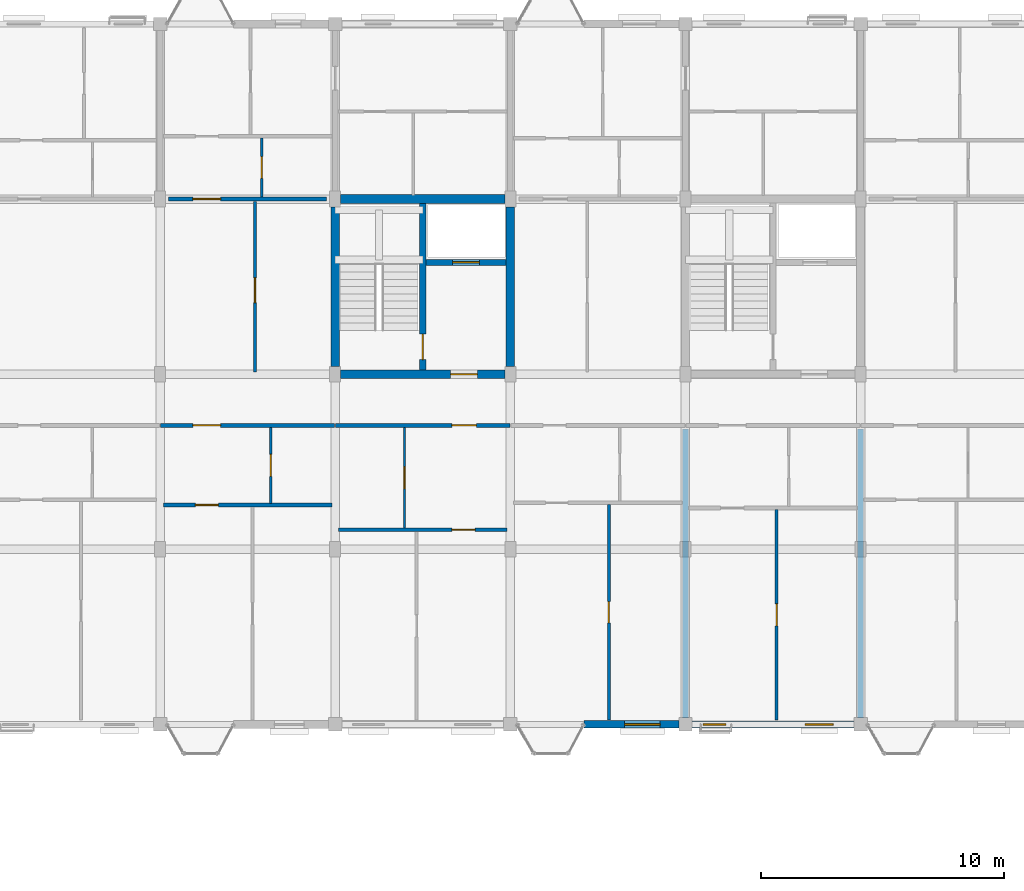
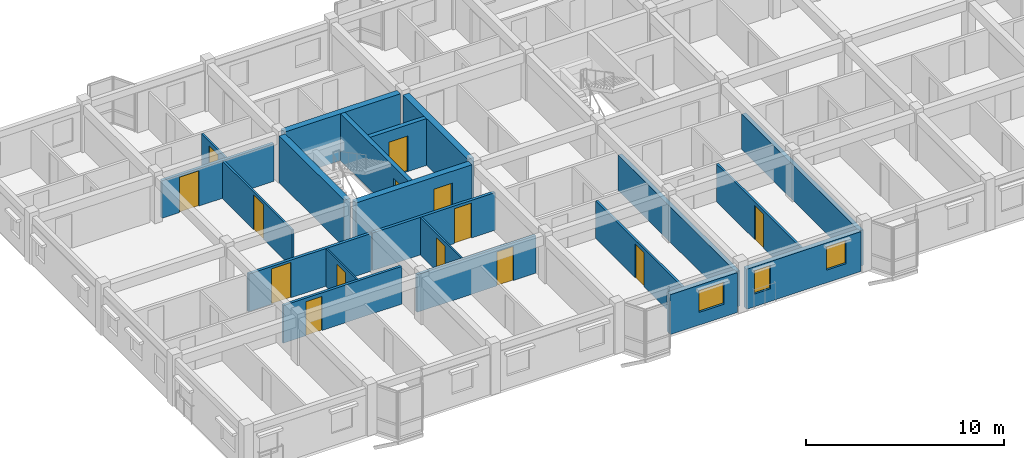
# One storey, part 61 of 75: 21 walls, 14 doors, 3 windows, 17 openings.
"""IFC4 building model written with IfcOpenShell, lengths in metres."""

from ifc_helpers import new_model, si_unit, direction, frame, frame_2d, origin, place, context, subcontext, project, spatial, rectangle, extrude, material, layer, layer_set, type_object, element, fill, save


model = new_model("IFC4")

# Units and contexts
model_context = context("Model", 3, precision=1e-05, world=origin(), true_north=direction((0.0, 1.0)))
body_context = subcontext(model_context, "Body", "Model", "MODEL_VIEW")
ifc_project = project(units=[si_unit("LENGTHUNIT", "METRE"), si_unit("AREAUNIT", "SQUARE_METRE"), si_unit("VOLUMEUNIT", "CUBIC_METRE"), si_unit("PLANEANGLEUNIT", "RADIAN"), si_unit("MASSUNIT", "GRAM", prefix="KILO"), si_unit("THERMODYNAMICTEMPERATUREUNIT", "KELVIN"), si_unit("POWERUNIT", "WATT")], contexts=[model_context])

# Site, building, storey
site_placement = place(None, origin())
site = spatial("IfcSite", under=ifc_project, at=site_placement, CompositionType="ELEMENT")
building_placement = place(site_placement, origin())
building = spatial("IfcBuilding", under=site, at=building_placement, Name="Tavuni Mirador Residences", CompositionType="ELEMENT")
storey_placement = place(building_placement, frame((0.0, 0.0, 20.25)))
storey = spatial("IfcBuildingStorey", under=building, at=storey_placement, Name="L06", CompositionType="ELEMENT", Elevation=20.25)

# Wall, opening, door
ifc_material_1 = material(Name="Precast concrete C40/50", Category="concrete")
ifc_layer_1 = layer(ifc_material_1, 0.25, Name="Precast concrete C40/50", Category="concrete")
ifc_layer_set_1 = layer_set([ifc_layer_1], Name="Precast concrete C40/50")
wall_type_1 = type_object("IfcWallType", Name="WT-COR250", PredefinedType="SHEAR", material=ifc_layer_set_1)
wall_1_placement = place(storey_placement, frame((28.800048828125, 158.580078125, 0.0), z_axis=(0.0, 0.0, 1.0), x_axis=(0.0, 1.0, 0.0)))
wall_1 = element("IfcWall", 1, at=wall_1_placement, inside=storey, type_object=wall_type_1, Name="CWALL-C5-L06-MID", PredefinedType="SHEAR", context=body_context, shape_type="SweptSolid", body=[
    extrude(rectangle(XDim=6.83984375, YDim=0.25, at=frame_2d((3.419921875, 0.0))), origin(), (0.0, 0.0, 1.0), 2.885009765625),
])
opening_1_placement = place(wall_1_placement, frame((0.419921875, 0.0, 0.0)))
opening_1 = element("IfcOpeningElement", 2, at=opening_1_placement, cuts=wall_1, Name="Opening D-01", PredefinedType="OPENING", context=body_context, shape_type="SweptSolid", body=[
    extrude(rectangle(XDim=1.050048828125, YDim=2.14990234375, at=frame_2d((0.52490234375, 1.074951171875))), frame((0.0, 0.135009765625, 0.0), z_axis=(0.0, -1.0, 0.0), x_axis=(1.0, 0.0, 0.0)), (0.0, 0.0, 1.0), 0.27001953125),
])
ifc_material_2 = material(Name="Solid core iroko timber", Category="wood")
door_type_1 = type_object("IfcDoorType", Name="DT-ST1050", OperationType="NOTDEFINED", PredefinedType="DOOR", material=ifc_material_2)
door_1_placement = place(opening_1_placement, origin())
door_1 = element("IfcDoor", 3, at=door_1_placement, inside=storey, type_object=door_type_1, Name="DR-2193", OperationType="SINGLE_SWING_LEFT", OverallHeight=2.14990234375, OverallWidth=1.050048828125, PredefinedType="DOOR", context=body_context, shape_type="SweptSolid", body=[
    extrude(rectangle(XDim=1.050048828125, YDim=2.14990234375, at=frame_2d((0.52490234375, 1.074951171875))), frame((0.0, 0.02490234375, 0.0), z_axis=(0.0, -1.0, 0.0), x_axis=(1.0, 0.0, 0.0)), (0.0, 0.0, 1.0), 0.050048828125),
])
fill(opening_1, door_1)

wall_2_placement = place(storey_placement, frame((28.925048828125, 163.0, 0.0), z_axis=(0.0, 0.0, 1.0), x_axis=(1.0, 0.0, 0.0)))
wall_2 = element("IfcWall", 4, at=wall_2_placement, inside=storey, type_object=wall_type_1, Name="CWALL-C5-L06-SHF", PredefinedType="SHEAR", context=body_context, shape_type="SweptSolid", body=[
    extrude(rectangle(XDim=3.294921875, YDim=0.25, at=frame_2d((1.6474609375, 0.0))), origin(), (0.0, 0.0, 1.0), 2.885009765625),
])
opening_2_placement = place(wall_2_placement, frame((1.10009765625, 0.0, 0.0)))
opening_2 = element("IfcOpeningElement", 5, at=opening_2_placement, cuts=wall_2, Name="Opening LD-01", PredefinedType="OPENING", context=body_context, shape_type="SweptSolid", body=[
    extrude(rectangle(XDim=1.10009765625, YDim=2.199951171875, at=frame_2d((0.550048828125, 1.10009765625))), frame((0.0, 0.135009765625, 0.0), z_axis=(0.0, -1.0, 0.0), x_axis=(1.0, 0.0, 0.0)), (0.0, 0.0, 1.0), 0.27001953125),
])
ifc_material_3 = material(Name="Structural steel S355", Category="steel")
door_type_2 = type_object("IfcDoorType", Name="DT-LD-FF", OperationType="SLIDING_TO_LEFT", PredefinedType="DOOR", material=ifc_material_3)
door_2_placement = place(opening_2_placement, origin())
door_2 = element("IfcDoor", 6, at=door_2_placement, inside=storey, type_object=door_type_2, Name="Lift landing door FL-C1 L06", OperationType="SLIDING_TO_LEFT", OverallHeight=2.199951171875, OverallWidth=1.10009765625, PredefinedType="DOOR", context=body_context, shape_type="SweptSolid", body=[
    extrude(rectangle(XDim=1.10009765625, YDim=2.199951171875, at=frame_2d((0.550048828125, 1.10009765625))), frame((0.0, 0.02490234375, 0.0), z_axis=(0.0, -1.0, 0.0), x_axis=(1.0, 0.0, 0.0)), (0.0, 0.0, 1.0), 0.050048828125),
])
fill(opening_2, door_2)

# Walls
ifc_layer_2 = layer(ifc_material_1, 0.360107421875, Name="Precast concrete C40/50", Category="concrete")
ifc_layer_set_2 = layer_set([ifc_layer_2], Name="Precast concrete C40/50")
wall_type_2 = type_object("IfcWallType", Name="WT-COR360", PredefinedType="SHEAR", material=ifc_layer_set_2)
wall_3_placement = place(storey_placement, frame((25.199951171875, 158.72509765625, 0.0), z_axis=(0.0, 0.0, 1.0), x_axis=(0.0, 1.0, 0.0)))
element("IfcWall", 7, at=wall_3_placement, inside=storey, type_object=wall_type_2, Name="CWALL-C5-L06-W", PredefinedType="SHEAR", context=body_context, shape_type="SweptSolid", body=[
    extrude(rectangle(XDim=6.5498046875, YDim=0.360107421875, at=frame_2d((3.27490234375, 0.0))), origin(), (0.0, 0.0, 1.0), 2.885009765625),
])
wall_4_placement = place(storey_placement, frame((25.425048828125, 165.60009765625, 0.0), z_axis=(0.0, 0.0, 1.0), x_axis=(1.0, 0.0, 0.0)))
element("IfcWall", 8, at=wall_4_placement, inside=storey, type_object=wall_type_2, Name="CWALL-C5-L06-N", PredefinedType="SHEAR", context=body_context, shape_type="SweptSolid", body=[
    extrude(rectangle(XDim=6.75, YDim=0.360107421875, at=frame_2d((3.375, 0.0))), origin(), (0.0, 0.0, 1.0), 2.885009765625),
])
wall_5_placement = place(storey_placement, frame((32.39990234375, 158.72509765625, 0.0), z_axis=(0.0, 0.0, 1.0), x_axis=(0.0, 1.0, 0.0)))
element("IfcWall", 9, at=wall_5_placement, inside=storey, type_object=wall_type_2, Name="CWALL-C5-L06-E", PredefinedType="SHEAR", context=body_context, shape_type="SweptSolid", body=[
    extrude(rectangle(XDim=6.5498046875, YDim=0.360107421875, at=frame_2d((3.27490234375, 0.0))), origin(), (0.0, 0.0, 1.0), 2.885009765625),
])

# Wall, opening, door
wall_6_placement = place(storey_placement, frame((25.425048828125, 158.39990234375, 0.0), z_axis=(0.0, 0.0, 1.0), x_axis=(1.0, 0.0, 0.0)))
wall_6 = element("IfcWall", 10, at=wall_6_placement, inside=storey, type_object=wall_type_2, Name="CWALL-C5-L06-SS", PredefinedType="SHEAR", context=body_context, shape_type="SweptSolid", body=[
    extrude(rectangle(XDim=6.75, YDim=0.360107421875, at=frame_2d((3.375, 0.0))), origin(), (0.0, 0.0, 1.0), 2.885009765625),
])
opening_3_placement = place(wall_6_placement, frame((4.52490234375, 0.0, 0.0)))
opening_3 = element("IfcOpeningElement", 11, at=opening_3_placement, cuts=wall_6, Name="Opening D-02", PredefinedType="OPENING", context=body_context, shape_type="SweptSolid", body=[
    extrude(rectangle(XDim=1.10009765625, YDim=2.14990234375, at=frame_2d((0.550048828125, 1.074951171875))), frame((0.0, 0.18994140625, 0.0), z_axis=(0.0, -1.0, 0.0), x_axis=(1.0, 0.0, 0.0)), (0.0, 0.0, 1.0), 0.380126953125),
])
door_type_3 = type_object("IfcDoorType", Name="DT-LOB1100", OperationType="NOTDEFINED", PredefinedType="DOOR", material=ifc_material_2)
door_3_placement = place(opening_3_placement, frame((1.10009765625, 0.0, 0.0), z_axis=(0.0, 0.0, 1.0), x_axis=(-1.0, 0.0, 0.0)))
door_3 = element("IfcDoor", 12, at=door_3_placement, inside=storey, type_object=door_type_3, Name="DR-2192", OperationType="SINGLE_SWING_RIGHT", OverallHeight=2.14990234375, OverallWidth=1.10009765625, PredefinedType="DOOR", context=body_context, shape_type="SweptSolid", body=[
    extrude(rectangle(XDim=1.10009765625, YDim=2.14990234375, at=frame_2d((0.550048828125, 1.074951171875))), frame((0.0, 0.02490234375, 0.0), z_axis=(0.0, -1.0, 0.0), x_axis=(1.0, 0.0, 0.0)), (0.0, 0.0, 1.0), 0.050048828125),
])
fill(opening_3, door_3)

ifc_layer_3 = layer(ifc_material_1, 0.1650390625, Name="Precast concrete C40/50", Category="concrete")
ifc_layer_set_3 = layer_set([ifc_layer_3], Name="Precast concrete C40/50")
wall_type_3 = type_object("IfcWallType", Name="WT-CORR165", PredefinedType="PARTITIONING", material=ifc_layer_set_3)
wall_7_placement = place(storey_placement, frame((18.02001953125, 156.300048828125, 0.0), z_axis=(0.0, 0.0, 1.0), x_axis=(1.0, 0.0, 0.0)))
wall_7 = element("IfcWall", 13, at=wall_7_placement, inside=storey, type_object=wall_type_3, Name="CORW-BLK-C-L06-0-01", PredefinedType="PARTITIONING", context=body_context, shape_type="SweptSolid", body=[
    extrude(rectangle(XDim=7.159912109375, YDim=0.1650390625, at=frame_2d((3.580078125, 0.0))), origin(), (0.0, 0.0, 1.0), 2.320068359375),
])
opening_4_placement = place(wall_7_placement, frame((1.330078125, 0.0, 0.0)))
opening_4 = element("IfcOpeningElement", 14, at=opening_4_placement, cuts=wall_7, Name="Opening D-20", PredefinedType="OPENING", context=body_context, shape_type="SweptSolid", body=[
    extrude(rectangle(XDim=1.139892578125, YDim=2.179931640625, at=frame_2d((0.56982421875, 1.08984375))), frame((0.0, 0.092529296875, 0.0), z_axis=(0.0, -1.0, 0.0), x_axis=(1.0, 0.0, 0.0)), (0.0, 0.0, 1.0), 0.18505859375),
])
door_type_4 = type_object("IfcDoorType", Name="DT-FD60-1140", OperationType="NOTDEFINED", PredefinedType="DOOR", material=ifc_material_2)
door_4_placement = place(opening_4_placement, origin())
door_4 = element("IfcDoor", 15, at=door_4_placement, inside=storey, type_object=door_type_4, Name="DR-2708", OperationType="SINGLE_SWING_LEFT", OverallHeight=2.179931640625, OverallWidth=1.139892578125, PredefinedType="DOOR", context=body_context, shape_type="SweptSolid", body=[
    extrude(rectangle(XDim=1.139892578125, YDim=2.179931640625, at=frame_2d((0.56982421875, 1.08984375))), frame((0.0, 0.02490234375, 0.0), z_axis=(0.0, -1.0, 0.0), x_axis=(1.0, 0.0, 0.0)), (0.0, 0.0, 1.0), 0.050048828125),
])
fill(opening_4, door_4)

wall_8_placement = place(storey_placement, frame((25.219970703125, 156.300048828125, 0.0), z_axis=(0.0, 0.0, 1.0), x_axis=(1.0, 0.0, 0.0)))
wall_8 = element("IfcWall", 16, at=wall_8_placement, inside=storey, type_object=wall_type_3, Name="CORW-BLK-C-L06-0-02", PredefinedType="PARTITIONING", context=body_context, shape_type="SweptSolid", body=[
    extrude(rectangle(XDim=7.159912109375, YDim=0.1650390625, at=frame_2d((3.580078125, 0.0))), origin(), (0.0, 0.0, 1.0), 2.320068359375),
])
opening_5_placement = place(wall_8_placement, frame((4.780029296875, 0.0, 0.0)))
opening_5 = element("IfcOpeningElement", 17, at=opening_5_placement, cuts=wall_8, Name="Opening D-03", PredefinedType="OPENING", context=body_context, shape_type="SweptSolid", body=[
    extrude(rectangle(XDim=1.0, YDim=2.14990234375, at=frame_2d((0.5, 1.074951171875))), frame((0.0, 0.092529296875, 0.0), z_axis=(0.0, -1.0, 0.0), x_axis=(1.0, 0.0, 0.0)), (0.0, 0.0, 1.0), 0.18505859375),
])
door_type_5 = type_object("IfcDoorType", Name="DT-FD60-1000", OperationType="NOTDEFINED", PredefinedType="DOOR", material=ifc_material_2)
door_5_placement = place(opening_5_placement, origin())
door_5 = element("IfcDoor", 18, at=door_5_placement, inside=storey, type_object=door_type_5, Name="DR-2709", OperationType="SINGLE_SWING_RIGHT", OverallHeight=2.14990234375, OverallWidth=1.0, PredefinedType="DOOR", context=body_context, shape_type="SweptSolid", body=[
    extrude(rectangle(XDim=1.0, YDim=2.14990234375, at=frame_2d((0.5, 1.074951171875))), frame((0.0, 0.02490234375, 0.0), z_axis=(0.0, -1.0, 0.0), x_axis=(1.0, 0.0, 0.0)), (0.0, 0.0, 1.0), 0.050048828125),
])
fill(opening_5, door_5)

wall_9_placement = place(storey_placement, frame((18.35009765625, 165.60009765625, 0.0), z_axis=(0.0, 0.0, 1.0), x_axis=(1.0, 0.0, 0.0)))
wall_9 = element("IfcWall", 19, at=wall_9_placement, inside=storey, type_object=wall_type_3, Name="CORW-BLK-C-L06-1-01", PredefinedType="PARTITIONING", context=body_context, shape_type="SweptSolid", body=[
    extrude(rectangle(XDim=6.5, YDim=0.1650390625, at=frame_2d((3.25, 0.0))), origin(), (0.0, 0.0, 1.0), 2.320068359375),
])
opening_6_placement = place(wall_9_placement, frame((1.0, 0.0, 0.0)))
opening_6 = element("IfcOpeningElement", 20, at=opening_6_placement, cuts=wall_9, Name="Opening D-20", PredefinedType="OPENING", context=body_context, shape_type="SweptSolid", body=[
    extrude(rectangle(XDim=1.139892578125, YDim=2.179931640625, at=frame_2d((0.56982421875, 1.08984375))), frame((0.0, 0.092529296875, 0.0), z_axis=(0.0, -1.0, 0.0), x_axis=(1.0, 0.0, 0.0)), (0.0, 0.0, 1.0), 0.18505859375),
])
door_6_placement = place(opening_6_placement, origin())
door_6 = element("IfcDoor", 21, at=door_6_placement, inside=storey, type_object=door_type_4, Name="DR-2717", OperationType="SINGLE_SWING_RIGHT", OverallHeight=2.179931640625, OverallWidth=1.139892578125, PredefinedType="DOOR", context=body_context, shape_type="SweptSolid", body=[
    extrude(rectangle(XDim=1.139892578125, YDim=2.179931640625, at=frame_2d((0.56982421875, 1.08984375))), frame((0.0, 0.02490234375, 0.0), z_axis=(0.0, -1.0, 0.0), x_axis=(1.0, 0.0, 0.0)), (0.0, 0.0, 1.0), 0.050048828125),
])
fill(opening_6, door_6)

# Wall, openings, windows
ifc_material_4 = material(Name="Sgraffito lime-rendered precast concrete C40/50", Category="concrete")
ifc_layer_4 = layer(ifc_material_4, 0.2900390625, Name="Sgraffito lime-rendered precast concrete C40/50", Category="concrete")
ifc_layer_set_4 = layer_set([ifc_layer_4], Name="Sgraffito lime-rendered precast concrete C40/50")
wall_type_4 = type_object("IfcWallType", Name="WT-EXT-PC290", PredefinedType="SOLIDWALL", material=ifc_layer_set_4)
wall_10_placement = place(storey_placement, frame((39.875, 144.0, 0.0), z_axis=(0.0, 0.0, 1.0), x_axis=(1.0, 0.0, 0.0)))
wall_10 = element("IfcWall", 22, at=wall_10_placement, inside=storey, type_object=wall_type_4, Name="EW-BLK-C-L06-S04", PredefinedType="SOLIDWALL", context=body_context, shape_type="SweptSolid", body=[
    extrude(rectangle(XDim=6.64990234375, YDim=0.2900390625, at=frame_2d((3.324951171875, 0.0))), origin(), (0.0, 0.0, 1.0), 2.455078125),
])
opening_7_placement = place(wall_10_placement, frame((0.449951171875, 0.0, 0.780029296875)))
opening_7 = element("IfcOpeningElement", 23, at=opening_7_placement, cuts=wall_10, Name="Opening WN-25", PredefinedType="OPENING", context=body_context, shape_type="SweptSolid", body=[
    extrude(rectangle(XDim=0.93994140625, YDim=1.43994140625, at=frame_2d((0.469970703125, 0.719970703125))), frame((0.0, 0.155029296875, 0.0), z_axis=(0.0, -1.0, 0.0), x_axis=(1.0, 0.0, 0.0)), (0.0, 0.0, 1.0), 0.31005859375),
])
opening_8_placement = place(wall_10_placement, frame((4.64990234375, 0.0, 0.780029296875)))
opening_8 = element("IfcOpeningElement", 24, at=opening_8_placement, cuts=wall_10, Name="Opening WN-27", PredefinedType="OPENING", context=body_context, shape_type="SweptSolid", body=[
    extrude(rectangle(XDim=1.14990234375, YDim=1.43994140625, at=frame_2d((0.574951171875, 0.719970703125))), frame((0.0, 0.155029296875, 0.0), z_axis=(0.0, -1.0, 0.0), x_axis=(1.0, 0.0, 0.0)), (0.0, 0.0, 1.0), 0.31005859375),
])
ifc_material_5 = material(Name="Laminated solar-control glass", Category="glass")
window_type_1 = type_object("IfcWindowType", Name="WNT-25", PartitioningType="SINGLE_PANEL", PredefinedType="WINDOW", material=ifc_material_5)
window_1_placement = place(opening_7_placement, origin())
window_1 = element("IfcWindow", 25, at=window_1_placement, inside=storey, type_object=window_type_1, Name="WIN-1098", OverallHeight=1.43994140625, OverallWidth=0.93994140625, PartitioningType="SINGLE_PANEL", PredefinedType="WINDOW", context=body_context, shape_type="SweptSolid", body=[
    extrude(rectangle(XDim=0.93994140625, YDim=1.43994140625, at=frame_2d((0.469970703125, 0.719970703125))), frame((0.0, 0.030029296875, 0.0), z_axis=(0.0, -1.0, 0.0), x_axis=(1.0, 0.0, 0.0)), (0.0, 0.0, 1.0), 0.06005859375),
])
fill(opening_7, window_1)
window_type_2 = type_object("IfcWindowType", Name="WNT-27", PartitioningType="SINGLE_PANEL", PredefinedType="WINDOW", material=ifc_material_5)
window_2_placement = place(opening_8_placement, origin())
window_2 = element("IfcWindow", 26, at=window_2_placement, inside=storey, type_object=window_type_2, Name="WIN-1099", OverallHeight=1.43994140625, OverallWidth=1.14990234375, PartitioningType="SINGLE_PANEL", PredefinedType="WINDOW", context=body_context, shape_type="SweptSolid", body=[
    extrude(rectangle(XDim=1.14990234375, YDim=1.43994140625, at=frame_2d((0.574951171875, 0.719970703125))), frame((0.0, 0.030029296875, 0.0), z_axis=(0.0, -1.0, 0.0), x_axis=(1.0, 0.0, 0.0)), (0.0, 0.0, 1.0), 0.06005859375),
])
fill(opening_8, window_2)

# Wall, opening, window
ifc_layer_5 = layer(ifc_material_4, 0.304931640625, Name="Sgraffito lime-rendered precast concrete C40/50", Category="concrete")
ifc_layer_set_5 = layer_set([ifc_layer_5], Name="Sgraffito lime-rendered precast concrete C40/50")
wall_type_5 = type_object("IfcWallType", Name="WT-EXT-PC305", PredefinedType="SOLIDWALL", material=ifc_layer_set_5)
wall_11_placement = place(storey_placement, frame((35.419921875, 144.0, 0.0), z_axis=(0.0, 0.0, 1.0), x_axis=(1.0, 0.0, 0.0)))
wall_11 = element("IfcWall", 27, at=wall_11_placement, inside=storey, type_object=wall_type_5, Name="EW-BLK-C-L06-S03", PredefinedType="SOLIDWALL", context=body_context, shape_type="SweptSolid", body=[
    extrude(rectangle(XDim=3.905029296875, YDim=0.304931640625, at=frame_2d((1.95263671875, 0.0))), origin(), (0.0, 0.0, 1.0), 2.455078125),
])
opening_9_placement = place(wall_11_placement, frame((1.6826171875, 0.0, 0.780029296875)))
opening_9 = element("IfcOpeningElement", 28, at=opening_9_placement, cuts=wall_11, Name="Opening WN-24", PredefinedType="OPENING", context=body_context, shape_type="SweptSolid", body=[
    extrude(rectangle(XDim=1.4599609375, YDim=1.360107421875, at=frame_2d((0.72998046875, 0.68017578125))), frame((0.0, 0.16259765625, 0.0), z_axis=(0.0, -1.0, 0.0), x_axis=(1.0, 0.0, 0.0)), (0.0, 0.0, 1.0), 0.324951171875),
])
window_type_3 = type_object("IfcWindowType", Name="WNT-24", PartitioningType="SINGLE_PANEL", PredefinedType="WINDOW", material=ifc_material_5)
window_3_placement = place(opening_9_placement, origin())
window_3 = element("IfcWindow", 29, at=window_3_placement, inside=storey, type_object=window_type_3, Name="WIN-1097", OverallHeight=1.360107421875, OverallWidth=1.4599609375, PartitioningType="SINGLE_PANEL", PredefinedType="WINDOW", context=body_context, shape_type="SweptSolid", body=[
    extrude(rectangle(XDim=1.4599609375, YDim=1.360107421875, at=frame_2d((0.72998046875, 0.68017578125))), frame((0.0, 0.030029296875, 0.0), z_axis=(0.0, -1.0, 0.0), x_axis=(1.0, 0.0, 0.0)), (0.0, 0.0, 1.0), 0.06005859375),
])
fill(opening_9, window_3)

# Wall, opening, door
ifc_material_6 = material(Name="Acoustic gypsum and concrete block partition", Category="concrete")
ifc_layer_6 = layer(ifc_material_6, 0.094970703125, Name="Acoustic gypsum and concrete block partition", Category="concrete")
ifc_layer_set_6 = layer_set([ifc_layer_6], Name="Acoustic gypsum and concrete block partition")
wall_type_6 = type_object("IfcWallType", Name="WT-PART095", PredefinedType="PARTITIONING", material=ifc_layer_set_6)
wall_12_placement = place(storey_placement, frame((22.550048828125, 153.090087890625, 0.0), z_axis=(0.0, 0.0, 1.0), x_axis=(0.0, 1.0, 0.0)))
wall_12 = element("IfcWall", 30, at=wall_12_placement, inside=storey, type_object=wall_type_6, Name="PW-BLK-C-L06-S01-IN1", PredefinedType="PARTITIONING", context=body_context, shape_type="SweptSolid", body=[
    extrude(rectangle(XDim=3.119873046875, YDim=0.094970703125, at=frame_2d((1.56005859375, 0.0))), origin(), (0.0, 0.0, 1.0), 2.320068359375),
])
opening_10_placement = place(wall_12_placement, frame((1.110107421875, 0.0, 0.0)))
opening_10 = element("IfcOpeningElement", 31, at=opening_10_placement, cuts=wall_12, Name="Opening D-09", PredefinedType="OPENING", context=body_context, shape_type="SweptSolid", body=[
    extrude(rectangle(XDim=0.89990234375, YDim=2.050048828125, at=frame_2d((0.449951171875, 1.02490234375))), frame((0.0, 0.0576171875, 0.0), z_axis=(0.0, -1.0, 0.0), x_axis=(1.0, 0.0, 0.0)), (0.0, 0.0, 1.0), 0.114990234375),
])
door_type_6 = type_object("IfcDoorType", Name="DT-WC900", OperationType="NOTDEFINED", PredefinedType="DOOR", material=ifc_material_2)
door_7_placement = place(opening_10_placement, origin())
door_7 = element("IfcDoor", 32, at=door_7_placement, inside=storey, type_object=door_type_6, Name="DR-3969", OperationType="SINGLE_SWING_LEFT", OverallHeight=2.050048828125, OverallWidth=0.89990234375, PredefinedType="DOOR", context=body_context, shape_type="SweptSolid", body=[
    extrude(rectangle(XDim=0.89990234375, YDim=2.050048828125, at=frame_2d((0.449951171875, 1.02490234375))), frame((0.0, 0.02490234375, 0.0), z_axis=(0.0, -1.0, 0.0), x_axis=(1.0, 0.0, 0.0)), (0.0, 0.0, 1.0), 0.050048828125),
])
fill(opening_10, door_7)

wall_13_placement = place(storey_placement, frame((28.050048828125, 152.070068359375, 0.0), z_axis=(0.0, 0.0, 1.0), x_axis=(0.0, 1.0, 0.0)))
wall_13 = element("IfcWall", 33, at=wall_13_placement, inside=storey, type_object=wall_type_6, Name="PW-BLK-C-L06-S02-IN1", PredefinedType="PARTITIONING", context=body_context, shape_type="SweptSolid", body=[
    extrude(rectangle(XDim=4.139892578125, YDim=0.094970703125, at=frame_2d((2.06982421875, 0.0))), origin(), (0.0, 0.0, 1.0), 2.320068359375),
])
opening_11_placement = place(wall_13_placement, frame((1.6201171875, 0.0, 0.0)))
opening_11 = element("IfcOpeningElement", 34, at=opening_11_placement, cuts=wall_13, Name="Opening D-09", PredefinedType="OPENING", context=body_context, shape_type="SweptSolid", body=[
    extrude(rectangle(XDim=0.89990234375, YDim=2.050048828125, at=frame_2d((0.449951171875, 1.02490234375))), frame((0.0, 0.0576171875, 0.0), z_axis=(0.0, -1.0, 0.0), x_axis=(1.0, 0.0, 0.0)), (0.0, 0.0, 1.0), 0.114990234375),
])
door_8_placement = place(opening_11_placement, origin())
door_8 = element("IfcDoor", 35, at=door_8_placement, inside=storey, type_object=door_type_6, Name="DR-3975", OperationType="SINGLE_SWING_LEFT", OverallHeight=2.050048828125, OverallWidth=0.89990234375, PredefinedType="DOOR", context=body_context, shape_type="SweptSolid", body=[
    extrude(rectangle(XDim=0.89990234375, YDim=2.050048828125, at=frame_2d((0.449951171875, 1.02490234375))), frame((0.0, 0.02490234375, 0.0), z_axis=(0.0, -1.0, 0.0), x_axis=(1.0, 0.0, 0.0)), (0.0, 0.0, 1.0), 0.050048828125),
])
fill(opening_11, door_8)

ifc_layer_7 = layer(ifc_material_6, 0.10498046875, Name="Acoustic gypsum and concrete block partition", Category="concrete")
ifc_layer_set_7 = layer_set([ifc_layer_7], Name="Acoustic gypsum and concrete block partition")
wall_type_7 = type_object("IfcWallType", Name="WT-PART105", PredefinedType="PARTITIONING", material=ifc_layer_set_7)
wall_14_placement = place(storey_placement, frame((22.179931640625, 165.68994140625, 0.0), z_axis=(0.0, 0.0, 1.0), x_axis=(0.0, 1.0, 0.0)))
wall_14 = element("IfcWall", 36, at=wall_14_placement, inside=storey, type_object=wall_type_7, Name="PW-BLK-C-L06-N01-IN1", PredefinedType="PARTITIONING", context=body_context, shape_type="SweptSolid", body=[
    extrude(rectangle(XDim=2.420166015625, YDim=0.10498046875, at=frame_2d((1.2099609375, 0.0))), origin(), (0.0, 0.0, 1.0), 2.320068359375),
])
opening_12_placement = place(wall_14_placement, frame((0.760009765625, 0.0, 0.0)))
opening_12 = element("IfcOpeningElement", 37, at=opening_12_placement, cuts=wall_14, Name="Opening D-09", PredefinedType="OPENING", context=body_context, shape_type="SweptSolid", body=[
    extrude(rectangle(XDim=0.89990234375, YDim=2.050048828125, at=frame_2d((0.449951171875, 1.02490234375))), frame((0.0, 0.0625, 0.0), z_axis=(0.0, -1.0, 0.0), x_axis=(1.0, 0.0, 0.0)), (0.0, 0.0, 1.0), 0.125),
])
door_9_placement = place(opening_12_placement, origin())
door_9 = element("IfcDoor", 38, at=door_9_placement, inside=storey, type_object=door_type_6, Name="DR-3972", OperationType="SINGLE_SWING_LEFT", OverallHeight=2.050048828125, OverallWidth=0.89990234375, PredefinedType="DOOR", context=body_context, shape_type="SweptSolid", body=[
    extrude(rectangle(XDim=0.89990234375, YDim=2.050048828125, at=frame_2d((0.449951171875, 1.02490234375))), frame((0.0, 0.02490234375, 0.0), z_axis=(0.0, -1.0, 0.0), x_axis=(1.0, 0.0, 0.0)), (0.0, 0.0, 1.0), 0.050048828125),
])
fill(opening_12, door_9)

ifc_layer_8 = layer(ifc_material_6, 0.114990234375, Name="Acoustic gypsum and concrete block partition", Category="concrete")
ifc_layer_set_8 = layer_set([ifc_layer_8], Name="Acoustic gypsum and concrete block partition")
wall_type_8 = type_object("IfcWallType", Name="WT-PART115", PredefinedType="PARTITIONING", material=ifc_layer_set_8)
wall_15_placement = place(storey_placement, frame((21.89990234375, 158.489990234375, 0.0), z_axis=(0.0, 0.0, 1.0), x_axis=(0.0, 1.0, 0.0)))
wall_15 = element("IfcWall", 39, at=wall_15_placement, inside=storey, type_object=wall_type_8, Name="PW-SPN-BLK-C-L06-01", PredefinedType="PARTITIONING", context=body_context, shape_type="SweptSolid", body=[
    extrude(rectangle(XDim=7.02001953125, YDim=0.114990234375, at=frame_2d((3.510009765625, 0.0))), origin(), (0.0, 0.0, 1.0), 2.320068359375),
])
opening_13_placement = place(wall_15_placement, frame((2.85009765625, 0.0, 0.0)))
opening_13 = element("IfcOpeningElement", 40, at=opening_13_placement, cuts=wall_15, Name="Opening D-13", PredefinedType="OPENING", context=body_context, shape_type="SweptSolid", body=[
    extrude(rectangle(XDim=1.02001953125, YDim=2.14990234375, at=frame_2d((0.510009765625, 1.074951171875))), frame((0.0, 0.0673828125, 0.0), z_axis=(0.0, -1.0, 0.0), x_axis=(1.0, 0.0, 0.0)), (0.0, 0.0, 1.0), 0.135009765625),
])
door_type_7 = type_object("IfcDoorType", Name="DT-MTG1020", OperationType="NOTDEFINED", PredefinedType="DOOR", material=ifc_material_2)
door_10_placement = place(opening_13_placement, origin())
door_10 = element("IfcDoor", 41, at=door_10_placement, inside=storey, type_object=door_type_7, Name="DR-3967", OperationType="SINGLE_SWING_RIGHT", OverallHeight=2.14990234375, OverallWidth=1.02001953125, PredefinedType="DOOR", context=body_context, shape_type="SweptSolid", body=[
    extrude(rectangle(XDim=1.02001953125, YDim=2.14990234375, at=frame_2d((0.510009765625, 1.074951171875))), frame((0.0, 0.02490234375, 0.0), z_axis=(0.0, -1.0, 0.0), x_axis=(1.0, 0.0, 0.0)), (0.0, 0.0, 1.0), 0.050048828125),
])
fill(opening_13, door_10)

ifc_layer_9 = layer(ifc_material_6, 0.125, Name="Acoustic gypsum and concrete block partition", Category="concrete")
ifc_layer_set_9 = layer_set([ifc_layer_9], Name="Acoustic gypsum and concrete block partition")
wall_type_9 = type_object("IfcWallType", Name="WT-PART125", PredefinedType="PARTITIONING", material=ifc_layer_set_9)
wall_16_placement = place(storey_placement, frame((36.449951171875, 144.175048828125, 0.0), z_axis=(0.0, 0.0, 1.0), x_axis=(0.0, 1.0, 0.0)))
wall_16 = element("IfcWall", 42, at=wall_16_placement, inside=storey, type_object=wall_type_9, Name="PW-BLK-C-L06-S03-OUT", PredefinedType="PARTITIONING", context=body_context, shape_type="SweptSolid", body=[
    extrude(rectangle(XDim=8.875, YDim=0.125, at=frame_2d((4.4375, 0.0))), origin(), (0.0, 0.0, 1.0), 2.320068359375),
])
opening_14_placement = place(wall_16_placement, frame((3.99755859375, 0.0, 0.0)))
opening_14 = element("IfcOpeningElement", 43, at=opening_14_placement, cuts=wall_16, Name="Opening D-08", PredefinedType="OPENING", context=body_context, shape_type="SweptSolid", body=[
    extrude(rectangle(XDim=0.8798828125, YDim=2.080078125, at=frame_2d((0.43994140625, 1.0400390625))), frame((0.0, 0.072509765625, 0.0), z_axis=(0.0, -1.0, 0.0), x_axis=(1.0, 0.0, 0.0)), (0.0, 0.0, 1.0), 0.14501953125),
])
door_type_8 = type_object("IfcDoorType", Name="DT-BED880", OperationType="NOTDEFINED", PredefinedType="DOOR", material=ifc_material_2)
door_11_placement = place(opening_14_placement, origin())
door_11 = element("IfcDoor", 44, at=door_11_placement, inside=storey, type_object=door_type_8, Name="DR-3980", OperationType="SINGLE_SWING_LEFT", OverallHeight=2.080078125, OverallWidth=0.8798828125, PredefinedType="DOOR", context=body_context, shape_type="SweptSolid", body=[
    extrude(rectangle(XDim=0.8798828125, YDim=2.080078125, at=frame_2d((0.43994140625, 1.0400390625))), frame((0.0, 0.02490234375, 0.0), z_axis=(0.0, -1.0, 0.0), x_axis=(1.0, 0.0, 0.0)), (0.0, 0.0, 1.0), 0.050048828125),
])
fill(opening_14, door_11)

wall_17_placement = place(storey_placement, frame((43.35009765625, 144.175048828125, 0.0), z_axis=(0.0, 0.0, 1.0), x_axis=(0.0, 1.0, 0.0)))
wall_17 = element("IfcWall", 45, at=wall_17_placement, inside=storey, type_object=wall_type_9, Name="PW-BLK-C-L06-S04-OUT", PredefinedType="PARTITIONING", context=body_context, shape_type="SweptSolid", body=[
    extrude(rectangle(XDim=8.655029296875, YDim=0.125, at=frame_2d((4.32763671875, 0.0))), origin(), (0.0, 0.0, 1.0), 2.320068359375),
])
opening_15_placement = place(wall_17_placement, frame((3.87744140625, 0.0, 0.0)))
opening_15 = element("IfcOpeningElement", 46, at=opening_15_placement, cuts=wall_17, Name="Opening D-07", PredefinedType="OPENING", context=body_context, shape_type="SweptSolid", body=[
    extrude(rectangle(XDim=0.89990234375, YDim=2.10009765625, at=frame_2d((0.449951171875, 1.050048828125))), frame((0.0, 0.072509765625, 0.0), z_axis=(0.0, -1.0, 0.0), x_axis=(1.0, 0.0, 0.0)), (0.0, 0.0, 1.0), 0.14501953125),
])
door_type_9 = type_object("IfcDoorType", Name="DT-BED900", OperationType="NOTDEFINED", PredefinedType="DOOR", material=ifc_material_2)
door_12_placement = place(opening_15_placement, origin())
door_12 = element("IfcDoor", 47, at=door_12_placement, inside=storey, type_object=door_type_9, Name="DR-3986", OperationType="SINGLE_SWING_RIGHT", OverallHeight=2.10009765625, OverallWidth=0.89990234375, PredefinedType="DOOR", context=body_context, shape_type="SweptSolid", body=[
    extrude(rectangle(XDim=0.89990234375, YDim=2.10009765625, at=frame_2d((0.449951171875, 1.050048828125))), frame((0.0, 0.02490234375, 0.0), z_axis=(0.0, -1.0, 0.0), x_axis=(1.0, 0.0, 0.0)), (0.0, 0.0, 1.0), 0.050048828125),
])
fill(opening_15, door_12)

ifc_layer_10 = layer(ifc_material_6, 0.14990234375, Name="Acoustic gypsum and concrete block partition", Category="concrete")
ifc_layer_set_10 = layer_set([ifc_layer_10], Name="Acoustic gypsum and concrete block partition")
wall_type_10 = type_object("IfcWallType", Name="WT-PART150", PredefinedType="PARTITIONING", material=ifc_layer_set_10)
wall_18_placement = place(storey_placement, frame((18.139892578125, 153.02001953125, 0.0), z_axis=(0.0, 0.0, 1.0), x_axis=(1.0, 0.0, 0.0)))
wall_18 = element("IfcWall", 48, at=wall_18_placement, inside=storey, type_object=wall_type_10, Name="PW-BLK-C-L06-S01-MID", PredefinedType="PARTITIONING", context=body_context, shape_type="SweptSolid", body=[
    extrude(rectangle(XDim=6.920166015625, YDim=0.14990234375, at=frame_2d((3.4599609375, 0.0))), origin(), (0.0, 0.0, 1.0), 2.320068359375),
])
opening_16_placement = place(wall_18_placement, frame((1.31005859375, 0.0, 0.0)))
opening_16 = element("IfcOpeningElement", 49, at=opening_16_placement, cuts=wall_18, Name="Opening D-05", PredefinedType="OPENING", context=body_context, shape_type="SweptSolid", body=[
    extrude(rectangle(XDim=0.949951171875, YDim=2.10009765625, at=frame_2d((0.47509765625, 1.050048828125))), frame((0.0, 0.0849609375, 0.0), z_axis=(0.0, -1.0, 0.0), x_axis=(1.0, 0.0, 0.0)), (0.0, 0.0, 1.0), 0.169921875),
])
door_type_10 = type_object("IfcDoorType", Name="DT-INT950", OperationType="NOTDEFINED", PredefinedType="DOOR", material=ifc_material_2)
door_13_placement = place(opening_16_placement, origin())
door_13 = element("IfcDoor", 50, at=door_13_placement, inside=storey, type_object=door_type_10, Name="DR-3970", OperationType="SINGLE_SWING_LEFT", OverallHeight=2.10009765625, OverallWidth=0.949951171875, PredefinedType="DOOR", context=body_context, shape_type="SweptSolid", body=[
    extrude(rectangle(XDim=0.949951171875, YDim=2.10009765625, at=frame_2d((0.47509765625, 1.050048828125))), frame((0.0, 0.02490234375, 0.0), z_axis=(0.0, -1.0, 0.0), x_axis=(1.0, 0.0, 0.0)), (0.0, 0.0, 1.0), 0.050048828125),
])
fill(opening_16, door_13)

wall_19_placement = place(storey_placement, frame((25.340087890625, 152.0, 0.0), z_axis=(0.0, 0.0, 1.0), x_axis=(1.0, 0.0, 0.0)))
wall_19 = element("IfcWall", 51, at=wall_19_placement, inside=storey, type_object=wall_type_10, Name="PW-BLK-C-L06-S02-MID", PredefinedType="PARTITIONING", context=body_context, shape_type="SweptSolid", body=[
    extrude(rectangle(XDim=6.919921875, YDim=0.14990234375, at=frame_2d((3.4599609375, 0.0))), origin(), (0.0, 0.0, 1.0), 2.320068359375),
])
opening_17_placement = place(wall_19_placement, frame((4.659912109375, 0.0, 0.0)))
opening_17 = element("IfcOpeningElement", 52, at=opening_17_placement, cuts=wall_19, Name="Opening D-05", PredefinedType="OPENING", context=body_context, shape_type="SweptSolid", body=[
    extrude(rectangle(XDim=0.949951171875, YDim=2.10009765625, at=frame_2d((0.47509765625, 1.050048828125))), frame((0.0, 0.0849609375, 0.0), z_axis=(0.0, -1.0, 0.0), x_axis=(1.0, 0.0, 0.0)), (0.0, 0.0, 1.0), 0.169921875),
])
door_14_placement = place(opening_17_placement, origin())
door_14 = element("IfcDoor", 53, at=door_14_placement, inside=storey, type_object=door_type_10, Name="DR-3976", OperationType="SINGLE_SWING_LEFT", OverallHeight=2.10009765625, OverallWidth=0.949951171875, PredefinedType="DOOR", context=body_context, shape_type="SweptSolid", body=[
    extrude(rectangle(XDim=0.949951171875, YDim=2.10009765625, at=frame_2d((0.47509765625, 1.050048828125))), frame((0.0, 0.02490234375, 0.0), z_axis=(0.0, -1.0, 0.0), x_axis=(1.0, 0.0, 0.0)), (0.0, 0.0, 1.0), 0.050048828125),
])
fill(opening_17, door_14)

# Walls
ifc_layer_11 = layer(ifc_material_1, 0.235107421875, Name="Precast concrete C40/50", Category="concrete")
ifc_layer_set_11 = layer_set([ifc_layer_11], Name="Precast concrete C40/50")
wall_type_11 = type_object("IfcWallType", Name="WT-XW235", PredefinedType="SOLIDWALL", material=ifc_layer_set_11)
for number, where, z_axis, x_axis, name in (
    (54, (39.60009765625, 144.27490234375, 0.0), (0.0, 0.0, 1.0), (0.0, 1.0, 0.0), "XW-BLK-C-L06-S-04"),
    (55, (46.800048828125, 144.27490234375, 0.0), (0.0, 0.0, 1.0), (0.0, 1.0, 0.0), "XW-BLK-C-L06-S-05"),
):
    element("IfcWall", number, at=place(storey_placement, frame(where, z_axis=z_axis, x_axis=x_axis)), inside=storey, type_object=wall_type_11, Name=name, PredefinedType="SOLIDWALL", context=body_context, shape_type="SweptSolid", body=[
        extrude(rectangle(XDim=11.875, YDim=0.235107421875, at=frame_2d((5.9375, 0.0))), origin(), (0.0, 0.0, 1.0), 2.18505859375),
    ])

save(model, "model.ifc")
